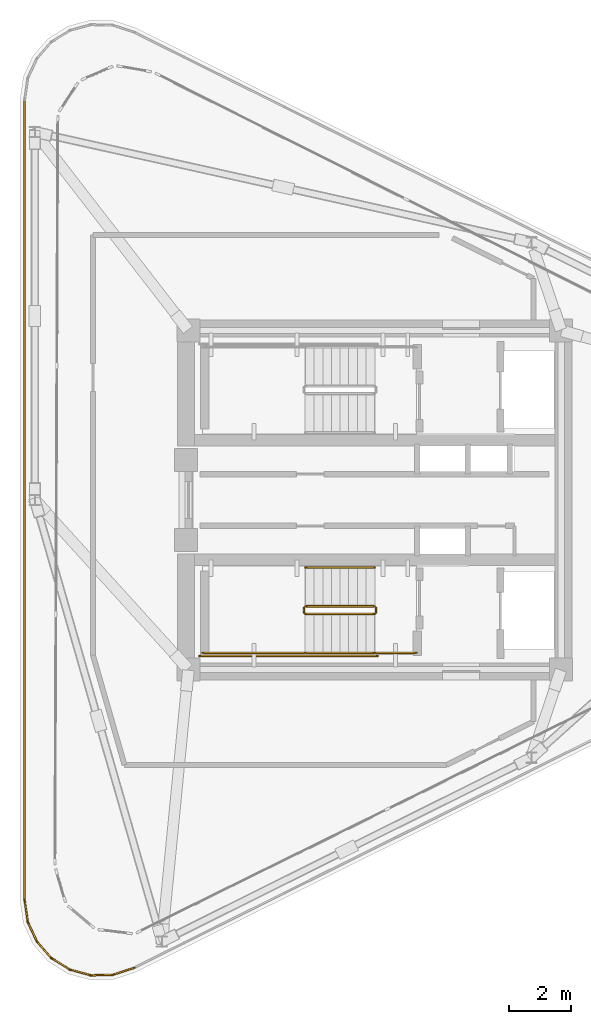
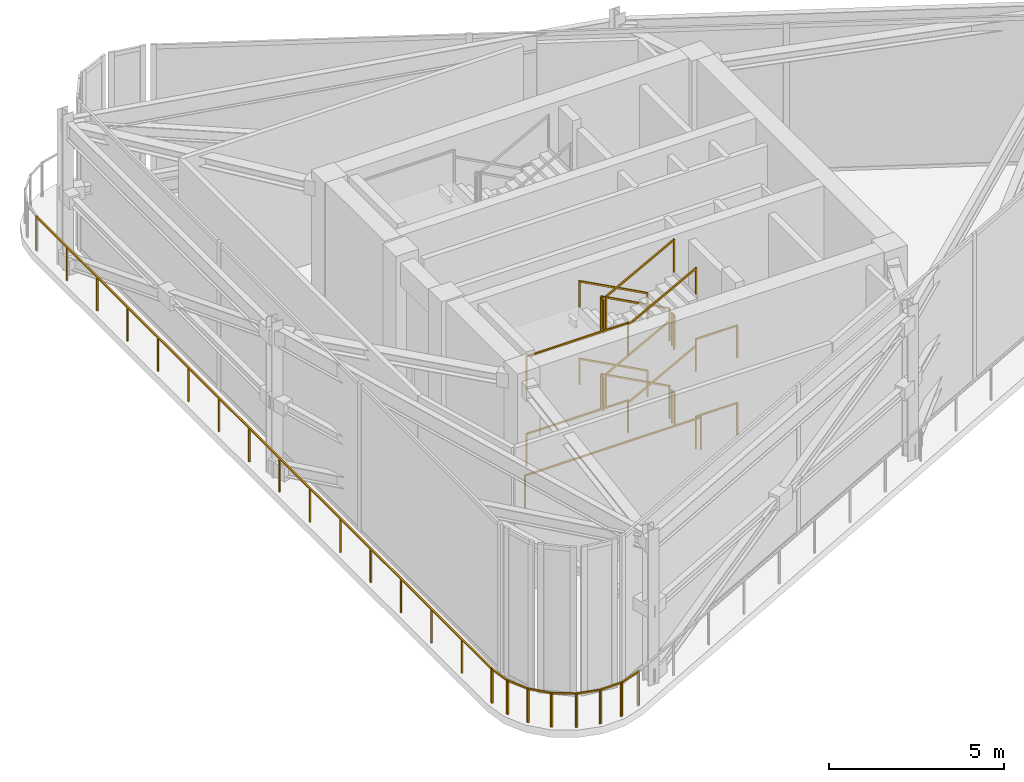
# One storey, part 6 of 9: 25 railings.
"""IFC4 building model written with IfcOpenShell, lengths in metres."""

from ifc_helpers import new_model, si_unit, direction, frame, origin, origin_2d, place, context, subcontext, project, spatial, rectangle, extrude, material, type_object, element, save


model = new_model("IFC4")

# Units and contexts
model_context = context("Model", 3, precision=1e-05, world=origin(), true_north=direction((0.0, 1.0)))
body_context = subcontext(model_context, "Body", "Model", "MODEL_VIEW")
ifc_project = project(units=[si_unit("LENGTHUNIT", "METRE"), si_unit("AREAUNIT", "SQUARE_METRE"), si_unit("VOLUMEUNIT", "CUBIC_METRE"), si_unit("PLANEANGLEUNIT", "RADIAN"), si_unit("MASSUNIT", "GRAM", prefix="KILO")], contexts=[model_context])

# Site, building, storey
site_placement = place(None, origin())
site = spatial("IfcSite", under=ifc_project, at=site_placement, CompositionType="ELEMENT")
building_placement = place(site_placement, origin())
building = spatial("IfcBuilding", under=site, at=building_placement, Name="Yunling Apex Tower", CompositionType="ELEMENT")
storey_placement = place(building_placement, frame((0.0, 0.0, 317.449951171875)))
storey = spatial("IfcBuildingStorey", under=building, at=storey_placement, Name="C01", CompositionType="ELEMENT", Elevation=317.449951171875)

# Railings
ifc_material_1 = material(Name="Bronze anodised aluminium", Category="aluminium")
railing_type_1 = type_object("IfcRailingType", Name="RL-BAL-1200", PredefinedType="BALUSTRADE", material=ifc_material_1)
railing_1_placement = place(storey_placement, frame((-11.369384765625, -13.005859375, 0.0)))
element("IfcRailing", 1, at=railing_1_placement, inside=storey, type_object=railing_type_1, Name="RL-CRN-PERIM-C01-01", PredefinedType="BALUSTRADE", context=body_context, shape_type="SweptSolid", body=[
    extrude(rectangle(XDim=0.0439453125, YDim=0.0439453125, at=origin_2d()), origin(), (0.0, 0.0, 1.0), 1.199951171875),
    extrude(rectangle(XDim=0.0439453125, YDim=0.0439453125, at=origin_2d()), frame((0.0, 26.01171875, 0.0)), (0.0, 0.0, 1.0), 1.199951171875),
    extrude(rectangle(XDim=0.050048828125, YDim=0.050048828125, at=origin_2d()), frame((0.0, 0.038330078125, 1.1748046875), z_axis=(0.0, 1.0, 0.0), x_axis=(-1.0, 0.0, 0.0)), (0.0, 0.0, 1.0), 25.93505859375),
    extrude(rectangle(XDim=0.0439453125, YDim=0.0439453125, at=origin_2d()), frame((0.0, 1.734130859375, 0.0)), (0.0, 0.0, 1.0), 1.14599609375),
    extrude(rectangle(XDim=0.0439453125, YDim=0.0439453125, at=origin_2d()), frame((0.0, 3.46826171875, 0.0)), (0.0, 0.0, 1.0), 1.14599609375),
    extrude(rectangle(XDim=0.0439453125, YDim=0.0439453125, at=origin_2d()), frame((0.0, 5.202392578125, 0.0)), (0.0, 0.0, 1.0), 1.14599609375),
    extrude(rectangle(XDim=0.0439453125, YDim=0.0439453125, at=origin_2d()), frame((0.0, 6.9365234375, 0.0)), (0.0, 0.0, 1.0), 1.14599609375),
    extrude(rectangle(XDim=0.0439453125, YDim=0.0439453125, at=origin_2d()), frame((0.0, 8.670654296875, 0.0)), (0.0, 0.0, 1.0), 1.14599609375),
    extrude(rectangle(XDim=0.0439453125, YDim=0.0439453125, at=origin_2d()), frame((0.0, 10.40478515625, 0.0)), (0.0, 0.0, 1.0), 1.14599609375),
    extrude(rectangle(XDim=0.0439453125, YDim=0.0439453125, at=origin_2d()), frame((0.0, 12.138916015625, 0.0)), (0.0, 0.0, 1.0), 1.14599609375),
    extrude(rectangle(XDim=0.0439453125, YDim=0.0439453125, at=origin_2d()), frame((0.0, 13.872802734375, 0.0)), (0.0, 0.0, 1.0), 1.14599609375),
    extrude(rectangle(XDim=0.0439453125, YDim=0.0439453125, at=origin_2d()), frame((0.0, 15.60693359375, 0.0)), (0.0, 0.0, 1.0), 1.14599609375),
    extrude(rectangle(XDim=0.0439453125, YDim=0.0439453125, at=origin_2d()), frame((0.0, 17.341064453125, 0.0)), (0.0, 0.0, 1.0), 1.14599609375),
    extrude(rectangle(XDim=0.0439453125, YDim=0.0439453125, at=origin_2d()), frame((0.0, 19.0751953125, 0.0)), (0.0, 0.0, 1.0), 1.14599609375),
    extrude(rectangle(XDim=0.0439453125, YDim=0.0439453125, at=origin_2d()), frame((0.0, 20.809326171875, 0.0)), (0.0, 0.0, 1.0), 1.14599609375),
    extrude(rectangle(XDim=0.0439453125, YDim=0.0439453125, at=origin_2d()), frame((0.0, 22.54345703125, 0.0)), (0.0, 0.0, 1.0), 1.14599609375),
    extrude(rectangle(XDim=0.0439453125, YDim=0.0439453125, at=origin_2d()), frame((0.0, 24.277587890625, 0.0)), (0.0, 0.0, 1.0), 1.14599609375),
])
railing_2_placement = place(storey_placement, frame((-7.8037109375, -15.185546875, 0.0)))
element("IfcRailing", 2, at=railing_2_placement, inside=storey, type_object=railing_type_1, Name="RL-CRN-PERIM-C01-18", PredefinedType="BALUSTRADE", context=body_context, shape_type="SweptSolid", body=[
    extrude(rectangle(XDim=0.0439453125, YDim=0.0439453125, at=origin_2d()), origin(), (0.0, 0.0, 1.0), 1.199951171875),
    extrude(rectangle(XDim=0.0439453125, YDim=0.0439453125, at=origin_2d()), frame((-0.712158203125, -0.2333984375, 0.0)), (0.0, 0.0, 1.0), 1.199951171875),
    extrude(rectangle(XDim=0.050048828125, YDim=0.050048828125, at=origin_2d()), frame((-0.036376953125, -0.011962890625, 1.1748046875), z_axis=(-0.950267478358, -0.311434936342, 0.0), x_axis=(0.311434936342, -0.950267478358, 0.0)), (0.0, 0.0, 1.0), 0.6728515625),
])
railing_3_placement = place(storey_placement, frame((-8.48681640625, -15.413818359375, 0.0)))
element("IfcRailing", 3, at=railing_3_placement, inside=storey, type_object=railing_type_1, Name="RL-CRN-PERIM-C01-19", PredefinedType="BALUSTRADE", context=body_context, shape_type="SweptSolid", body=[
    extrude(rectangle(XDim=0.0439453125, YDim=0.0439453125, at=origin_2d()), origin(), (0.0, 0.0, 1.0), 1.199951171875),
    extrude(rectangle(XDim=0.0439453125, YDim=0.0439453125, at=origin_2d()), frame((-0.738037109375, -0.019287109375, 0.0)), (0.0, 0.0, 1.0), 1.199951171875),
    extrude(rectangle(XDim=0.050048828125, YDim=0.050048828125, at=origin_2d()), frame((-0.038330078125, -0.0009765625, 1.1748046875), z_axis=(-0.999658708465, -0.026124061518, 0.0), x_axis=(0.026124061518, -0.999658708465, 0.0)), (0.0, 0.0, 1.0), 0.66162109375),
])
railing_4_placement = place(storey_placement, frame((-9.1953125, -15.436767578125, 0.0)))
element("IfcRailing", 4, at=railing_4_placement, inside=storey, type_object=railing_type_1, Name="RL-CRN-PERIM-C01-20", PredefinedType="BALUSTRADE", context=body_context, shape_type="SweptSolid", body=[
    extrude(rectangle(XDim=0.0439453125, YDim=0.0439453125, at=origin_2d()), origin(), (0.0, 0.0, 1.0), 1.199951171875),
    extrude(rectangle(XDim=0.0439453125, YDim=0.0439453125, at=origin_2d()), frame((-0.712890625, 0.19287109375, 0.0)), (0.0, 0.0, 1.0), 1.199951171875),
    extrude(rectangle(XDim=0.050048828125, YDim=0.050048828125, at=origin_2d()), frame((-0.037109375, 0.010009765625, 1.1748046875), z_axis=(-0.965295849321, 0.261158808549, 0.0), x_axis=(-0.261158808549, -0.965295849321, 0.0)), (0.0, 0.0, 1.0), 0.661865234375),
])
railing_5_placement = place(storey_placement, frame((-9.881103515625, -15.255615234375, 0.0)))
element("IfcRailing", 5, at=railing_5_placement, inside=storey, type_object=railing_type_1, Name="RL-CRN-PERIM-C01-21", PredefinedType="BALUSTRADE", context=body_context, shape_type="SweptSolid", body=[
    extrude(rectangle(XDim=0.0439453125, YDim=0.0439453125, at=origin_2d()), origin(), (0.0, 0.0, 1.0), 1.199951171875),
    extrude(rectangle(XDim=0.0439453125, YDim=0.0439453125, at=origin_2d()), frame((-0.627685546875, 0.388671875, 0.0)), (0.0, 0.0, 1.0), 1.199951171875),
    extrude(rectangle(XDim=0.050048828125, YDim=0.050048828125, at=origin_2d()), frame((-0.032470703125, 0.020263671875, 1.1748046875), z_axis=(-0.850201713258, 0.526457070209, 0.0), x_axis=(-0.526457070209, -0.850201713258, 0.0)), (0.0, 0.0, 1.0), 0.66162109375),
])
railing_6_placement = place(storey_placement, frame((-10.486083984375, -14.885986328125, 0.0)))
element("IfcRailing", 6, at=railing_6_placement, inside=storey, type_object=railing_type_1, Name="RL-CRN-PERIM-C01-22", PredefinedType="BALUSTRADE", context=body_context, shape_type="SweptSolid", body=[
    extrude(rectangle(XDim=0.0439453125, YDim=0.0439453125, at=origin_2d()), origin(), (0.0, 0.0, 1.0), 1.199951171875),
    extrude(rectangle(XDim=0.0439453125, YDim=0.0439453125, at=origin_2d()), frame((-0.490234375, 0.55224609375, 0.0)), (0.0, 0.0, 1.0), 1.199951171875),
    extrude(rectangle(XDim=0.050048828125, YDim=0.050048828125, at=origin_2d()), frame((-0.025390625, 0.028564453125, 1.1748046875), z_axis=(-0.663871195013, 0.747846933825, 0.0), x_axis=(-0.747846933825, -0.663871195013, 0.0)), (0.0, 0.0, 1.0), 0.661865234375),
])
railing_7_placement = place(storey_placement, frame((-10.9599609375, -14.358642578125, 0.0)))
element("IfcRailing", 7, at=railing_7_placement, inside=storey, type_object=railing_type_1, Name="RL-CRN-PERIM-C01-23", PredefinedType="BALUSTRADE", context=body_context, shape_type="SweptSolid", body=[
    extrude(rectangle(XDim=0.0439453125, YDim=0.0439453125, at=origin_2d()), origin(), (0.0, 0.0, 1.0), 1.199951171875),
    extrude(rectangle(XDim=0.0439453125, YDim=0.0439453125, at=origin_2d()), frame((-0.3115234375, 0.66943359375, 0.0)), (0.0, 0.0, 1.0), 1.199951171875),
    extrude(rectangle(XDim=0.050048828125, YDim=0.050048828125, at=origin_2d()), frame((-0.01611328125, 0.03466796875, 1.1748046875), z_axis=(-0.42190775415, 0.906638763228, 0.0), x_axis=(-0.906638763228, -0.42190775415, 0.0)), (0.0, 0.0, 1.0), 0.66162109375),
])
railing_8_placement = place(storey_placement, frame((-11.26318359375, -13.717529296875, 0.0)))
element("IfcRailing", 8, at=railing_8_placement, inside=storey, type_object=railing_type_1, Name="RL-CRN-PERIM-C01-24", PredefinedType="BALUSTRADE", context=body_context, shape_type="SweptSolid", body=[
    extrude(rectangle(XDim=0.0439453125, YDim=0.0439453125, at=origin_2d()), origin(), (0.0, 0.0, 1.0), 1.199951171875),
    extrude(rectangle(XDim=0.0439453125, YDim=0.0439453125, at=origin_2d()), frame((-0.1083984375, 0.741455078125, 0.0)), (0.0, 0.0, 1.0), 1.199951171875),
    extrude(rectangle(XDim=0.050048828125, YDim=0.050048828125, at=origin_2d()), frame((-0.005615234375, 0.037841796875, 1.1748046875), z_axis=(-0.144659139675, 0.989481547735, 0.0), x_axis=(-0.989481547735, -0.144659139675, 0.0)), (0.0, 0.0, 1.0), 0.672607421875),
])
ifc_material_2 = material(Name="Steel Q355B", Category="steel")
railing_type_2 = type_object("IfcRailingType", Name="RL-GRD-1150", PredefinedType="GUARDRAIL", material=ifc_material_2)
railing_9_placement = place(storey_placement, frame((-0.010009765625, -3.449951171875, 0.150146484375)))
element("IfcRailing", 9, at=railing_9_placement, inside=storey, type_object=railing_type_2, Name="C01 ST-2 stair guard 1", PredefinedType="GUARDRAIL", context=body_context, shape_type="SweptSolid", body=[
    extrude(rectangle(XDim=0.0439453125, YDim=0.0439453125, at=origin_2d()), origin(), (0.0, 0.0, 1.0), 1.14990234375),
    extrude(rectangle(XDim=0.0439453125, YDim=0.0439453125, at=origin_2d()), frame((-2.239990234375, 0.0, 1.199951171875)), (0.0, 0.0, 1.0), 1.14990234375),
    extrude(rectangle(XDim=0.050048828125, YDim=0.050048828125, at=origin_2d()), frame((-0.03369140625, 0.0, 1.14306640625), z_axis=(-0.881487111273, 0.0, 0.472208081951), x_axis=(0.0, -1.0, 0.0)), (0.0, 0.0, 1.0), 2.464599609375),
])
railing_10_placement = place(storey_placement, frame((-2.300048828125, -3.5, 1.35009765625)))
element("IfcRailing", 10, at=railing_10_placement, inside=storey, type_object=railing_type_2, Name="C01 ST-2 stair guard 2", PredefinedType="GUARDRAIL", context=body_context, shape_type="SweptSolid", body=[
    extrude(rectangle(XDim=0.0439453125, YDim=0.0439453125, at=origin_2d()), origin(), (0.0, 0.0, 1.0), 1.14990234375),
    extrude(rectangle(XDim=0.0439453125, YDim=0.0439453125, at=origin_2d()), frame((0.0, -0.14990234375, 0.0)), (0.0, 0.0, 1.0), 1.14990234375),
    extrude(rectangle(XDim=0.050048828125, YDim=0.050048828125, at=origin_2d()), frame((0.0, -0.038330078125, 1.125), z_axis=(0.0, -1.0, 0.0), x_axis=(1.0, 0.0, 0.0)), (0.0, 0.0, 1.0), 0.0732421875),
])
railing_11_placement = place(storey_placement, frame((-2.25, -4.9599609375, 1.35009765625)))
element("IfcRailing", 11, at=railing_11_placement, inside=storey, type_object=railing_type_2, Name="C01 ST-2 stair guard 3", PredefinedType="GUARDRAIL", context=body_context, shape_type="SweptSolid", body=[
    extrude(rectangle(XDim=0.0439453125, YDim=0.0439453125, at=origin_2d()), origin(), (0.0, 0.0, 1.0), 1.14990234375),
    extrude(rectangle(XDim=0.0439453125, YDim=0.0439453125, at=origin_2d()), frame((-3.35009765625, 0.0, 0.0)), (0.0, 0.0, 1.0), 1.14990234375),
    extrude(rectangle(XDim=0.050048828125, YDim=0.050048828125, at=origin_2d()), frame((-0.038330078125, 0.0, 1.125), z_axis=(-1.0, 0.0, 0.0), x_axis=(0.0, -1.0, 0.0)), (0.0, 0.0, 1.0), 3.2734375),
])
railing_12_placement = place(storey_placement, frame((-2.25, -3.699951171875, 1.5)))
element("IfcRailing", 12, at=railing_12_placement, inside=storey, type_object=railing_type_2, Name="C01 ST-2 stair guard 4", PredefinedType="GUARDRAIL", context=body_context, shape_type="SweptSolid", body=[
    extrude(rectangle(XDim=0.0439453125, YDim=0.0439453125, at=origin_2d()), origin(), (0.0, 0.0, 1.0), 1.14990234375),
    extrude(rectangle(XDim=0.0439453125, YDim=0.0439453125, at=origin_2d()), frame((2.239990234375, 0.0, 1.199951171875)), (0.0, 0.0, 1.0), 1.14990234375),
    extrude(rectangle(XDim=0.050048828125, YDim=0.050048828125, at=origin_2d()), frame((0.03369140625, 0.0, 1.14306640625), z_axis=(0.881487111273, 0.0, 0.472208081951), x_axis=(0.0, 1.0, 0.0)), (0.0, 0.0, 1.0), 2.464599609375),
])
railing_13_placement = place(storey_placement, frame((0.0400390625, -3.5, 2.699951171875)))
element("IfcRailing", 13, at=railing_13_placement, inside=storey, type_object=railing_type_2, Name="C01 ST-2 stair guard 5", PredefinedType="GUARDRAIL", context=body_context, shape_type="SweptSolid", body=[
    extrude(rectangle(XDim=0.0439453125, YDim=0.0439453125, at=origin_2d()), origin(), (0.0, 0.0, 1.0), 1.14990234375),
    extrude(rectangle(XDim=0.0439453125, YDim=0.0439453125, at=origin_2d()), frame((0.0, -0.14990234375, 0.0)), (0.0, 0.0, 1.0), 1.14990234375),
    extrude(rectangle(XDim=0.050048828125, YDim=0.050048828125, at=origin_2d()), frame((0.0, -0.038330078125, 1.125), z_axis=(0.0, -1.0, 0.0), x_axis=(1.0, 0.0, 0.0)), (0.0, 0.0, 1.0), 0.0732421875),
])
railing_14_placement = place(storey_placement, frame((1.35009765625, -4.9599609375, 2.699951171875)))
element("IfcRailing", 14, at=railing_14_placement, inside=storey, type_object=railing_type_2, Name="C01 ST-2 stair guard 6", PredefinedType="GUARDRAIL", context=body_context, shape_type="SweptSolid", body=[
    extrude(rectangle(XDim=0.0439453125, YDim=0.0439453125, at=origin_2d()), origin(), (0.0, 0.0, 1.0), 1.14990234375),
    extrude(rectangle(XDim=0.0439453125, YDim=0.0439453125, at=origin_2d()), frame((-1.360107421875, 0.0, 0.0)), (0.0, 0.0, 1.0), 1.14990234375),
    extrude(rectangle(XDim=0.050048828125, YDim=0.050048828125, at=origin_2d()), frame((-0.038330078125, 0.0, 1.125), z_axis=(-1.0, 0.0, 0.0), x_axis=(0.0, -1.0, 0.0)), (0.0, 0.0, 1.0), 1.283447265625),
])
railing_15_placement = place(storey_placement, frame((-0.010009765625, -3.449951171875, 2.85009765625)))
element("IfcRailing", 15, at=railing_15_placement, inside=storey, type_object=railing_type_2, Name="C01 ST-2 stair guard 7", PredefinedType="GUARDRAIL", context=body_context, shape_type="SweptSolid", body=[
    extrude(rectangle(XDim=0.0439453125, YDim=0.0439453125, at=origin_2d()), origin(), (0.0, 0.0, 1.0), 1.14990234375),
    extrude(rectangle(XDim=0.0439453125, YDim=0.0439453125, at=origin_2d()), frame((-2.239990234375, 0.0, 1.199951171875)), (0.0, 0.0, 1.0), 1.14990234375),
    extrude(rectangle(XDim=0.050048828125, YDim=0.050048828125, at=origin_2d()), frame((-0.03369140625, 0.0, 1.14306640625), z_axis=(-0.881487111273, 0.0, 0.472208081951), x_axis=(0.0, -1.0, 0.0)), (0.0, 0.0, 1.0), 2.464599609375),
])
railing_16_placement = place(storey_placement, frame((-2.300048828125, -3.5, 4.050048828125)))
element("IfcRailing", 16, at=railing_16_placement, inside=storey, type_object=railing_type_2, Name="C01 ST-2 stair guard 8", PredefinedType="GUARDRAIL", context=body_context, shape_type="SweptSolid", body=[
    extrude(rectangle(XDim=0.0439453125, YDim=0.0439453125, at=origin_2d()), origin(), (0.0, 0.0, 1.0), 1.14990234375),
    extrude(rectangle(XDim=0.0439453125, YDim=0.0439453125, at=origin_2d()), frame((0.0, -0.14990234375, 0.0)), (0.0, 0.0, 1.0), 1.14990234375),
    extrude(rectangle(XDim=0.050048828125, YDim=0.050048828125, at=origin_2d()), frame((0.0, -0.038330078125, 1.125), z_axis=(0.0, -1.0, 0.0), x_axis=(1.0, 0.0, 0.0)), (0.0, 0.0, 1.0), 0.0732421875),
])
railing_17_placement = place(storey_placement, frame((-2.25, -4.9599609375, 4.050048828125)))
element("IfcRailing", 17, at=railing_17_placement, inside=storey, type_object=railing_type_2, Name="C01 ST-2 stair guard 9", PredefinedType="GUARDRAIL", context=body_context, shape_type="SweptSolid", body=[
    extrude(rectangle(XDim=0.0439453125, YDim=0.0439453125, at=origin_2d()), origin(), (0.0, 0.0, 1.0), 1.14990234375),
    extrude(rectangle(XDim=0.0439453125, YDim=0.0439453125, at=origin_2d()), frame((-3.35009765625, 0.0, 0.0)), (0.0, 0.0, 1.0), 1.14990234375),
    extrude(rectangle(XDim=0.050048828125, YDim=0.050048828125, at=origin_2d()), frame((-0.038330078125, 0.0, 1.125), z_axis=(-1.0, 0.0, 0.0), x_axis=(0.0, -1.0, 0.0)), (0.0, 0.0, 1.0), 3.2734375),
])
railing_18_placement = place(storey_placement, frame((-2.25, -3.699951171875, 4.199951171875)))
element("IfcRailing", 18, at=railing_18_placement, inside=storey, type_object=railing_type_2, Name="C01 ST-2 stair guard 10", PredefinedType="GUARDRAIL", context=body_context, shape_type="SweptSolid", body=[
    extrude(rectangle(XDim=0.0439453125, YDim=0.0439453125, at=origin_2d()), origin(), (0.0, 0.0, 1.0), 1.14990234375),
    extrude(rectangle(XDim=0.0439453125, YDim=0.0439453125, at=origin_2d()), frame((2.239990234375, 0.0, 1.2001953125)), (0.0, 0.0, 1.0), 1.14990234375),
    extrude(rectangle(XDim=0.050048828125, YDim=0.050048828125, at=origin_2d()), frame((0.03369140625, 0.0, 1.14306640625), z_axis=(0.881447119201, 0.0, 0.472282728937), x_axis=(0.0, 1.0, 0.0)), (0.0, 0.0, 1.0), 2.464599609375),
])
railing_19_placement = place(storey_placement, frame((0.0400390625, -3.5, 0.0)))
element("IfcRailing", 19, at=railing_19_placement, inside=storey, type_object=railing_type_2, Name="C01 ST-2 stair guard 11", PredefinedType="GUARDRAIL", context=body_context, shape_type="SweptSolid", body=[
    extrude(rectangle(XDim=0.0439453125, YDim=0.0439453125, at=origin_2d()), origin(), (0.0, 0.0, 1.0), 1.14990234375),
    extrude(rectangle(XDim=0.0439453125, YDim=0.0439453125, at=origin_2d()), frame((0.0, -0.14990234375, 0.0)), (0.0, 0.0, 1.0), 1.14990234375),
    extrude(rectangle(XDim=0.050048828125, YDim=0.050048828125, at=origin_2d()), frame((0.0, -0.038330078125, 1.125), z_axis=(0.0, -1.0, 0.0), x_axis=(1.0, 0.0, 0.0)), (0.0, 0.0, 1.0), 0.0732421875),
])
railing_20_placement = place(storey_placement, frame((1.35009765625, -4.9599609375, 0.0)))
element("IfcRailing", 20, at=railing_20_placement, inside=storey, type_object=railing_type_2, Name="C01 ST-2 stair guard 12", PredefinedType="GUARDRAIL", context=body_context, shape_type="SweptSolid", body=[
    extrude(rectangle(XDim=0.0439453125, YDim=0.0439453125, at=origin_2d()), origin(), (0.0, 0.0, 1.0), 1.14990234375),
    extrude(rectangle(XDim=0.0439453125, YDim=0.0439453125, at=origin_2d()), frame((-1.360107421875, 0.0, 0.0)), (0.0, 0.0, 1.0), 1.14990234375),
    extrude(rectangle(XDim=0.050048828125, YDim=0.050048828125, at=origin_2d()), frame((-0.038330078125, 0.0, 1.125), z_axis=(-1.0, 0.0, 0.0), x_axis=(0.0, -1.0, 0.0)), (0.0, 0.0, 1.0), 1.283447265625),
])
railing_21_placement = place(storey_placement, frame((0.090087890625, -5.06005859375, 0.0)))
element("IfcRailing", 21, at=railing_21_placement, inside=storey, type_object=railing_type_2, Name="C01 ST-2 stair guard 13", PredefinedType="GUARDRAIL", context=body_context, shape_type="SweptSolid", body=[
    extrude(rectangle(XDim=0.0439453125, YDim=0.0439453125, at=origin_2d()), origin(), (0.0, 0.0, 1.0), 1.14990234375),
    extrude(rectangle(XDim=0.0439453125, YDim=0.0439453125, at=origin_2d()), frame((-5.7900390625, 0.0, 0.0)), (0.0, 0.0, 1.0), 1.14990234375),
    extrude(rectangle(XDim=0.050048828125, YDim=0.050048828125, at=origin_2d()), frame((-0.038330078125, 0.0, 1.125), z_axis=(-1.0, 0.0, 0.0), x_axis=(0.0, -1.0, 0.0)), (0.0, 0.0, 1.0), 5.71337890625),
])
ifc_material_3 = material(Name="Silver anodised aluminium", Category="aluminium")
railing_type_3 = type_object("IfcRailingType", Name="RL-HND-900", PredefinedType="HANDRAIL", material=ifc_material_3)
railing_22_placement = place(storey_placement, frame((-0.010009765625, -2.18994140625, 0.150146484375)))
element("IfcRailing", 22, at=railing_22_placement, inside=storey, type_object=railing_type_3, Name="C01 ST-2 stair handrail 1", PredefinedType="HANDRAIL", context=body_context, shape_type="SweptSolid", body=[
    extrude(rectangle(XDim=0.0439453125, YDim=0.0439453125, at=origin_2d()), origin(), (0.0, 0.0, 1.0), 0.919921875),
    extrude(rectangle(XDim=0.0439453125, YDim=0.0439453125, at=origin_2d()), frame((-2.239990234375, 0.0, 1.199951171875)), (0.0, 0.0, 1.0), 0.919921875),
    extrude(rectangle(XDim=0.050048828125, YDim=0.050048828125, at=origin_2d()), frame((-0.03369140625, 0.0, 0.9130859375), z_axis=(-0.881487111273, 0.0, 0.472208081951), x_axis=(0.0, -1.0, 0.0)), (0.0, 0.0, 1.0), 2.464599609375),
])
railing_23_placement = place(storey_placement, frame((-2.25, -4.9599609375, 1.5)))
element("IfcRailing", 23, at=railing_23_placement, inside=storey, type_object=railing_type_3, Name="C01 ST-2 stair handrail 2", PredefinedType="HANDRAIL", context=body_context, shape_type="SweptSolid", body=[
    extrude(rectangle(XDim=0.0439453125, YDim=0.0439453125, at=origin_2d()), origin(), (0.0, 0.0, 1.0), 0.919921875),
    extrude(rectangle(XDim=0.0439453125, YDim=0.0439453125, at=origin_2d()), frame((2.239990234375, 0.0, 1.199951171875)), (0.0, 0.0, 1.0), 0.919921875),
    extrude(rectangle(XDim=0.050048828125, YDim=0.050048828125, at=origin_2d()), frame((0.03369140625, 0.0, 0.9130859375), z_axis=(0.881487111273, 0.0, 0.472208081951), x_axis=(0.0, 1.0, 0.0)), (0.0, 0.0, 1.0), 2.464599609375),
])
railing_24_placement = place(storey_placement, frame((-0.010009765625, -2.18994140625, 2.85009765625)))
element("IfcRailing", 24, at=railing_24_placement, inside=storey, type_object=railing_type_3, Name="C01 ST-2 stair handrail 3", PredefinedType="HANDRAIL", context=body_context, shape_type="SweptSolid", body=[
    extrude(rectangle(XDim=0.0439453125, YDim=0.0439453125, at=origin_2d()), origin(), (0.0, 0.0, 1.0), 0.919921875),
    extrude(rectangle(XDim=0.0439453125, YDim=0.0439453125, at=origin_2d()), frame((-2.239990234375, 0.0, 1.199951171875)), (0.0, 0.0, 1.0), 0.919921875),
    extrude(rectangle(XDim=0.050048828125, YDim=0.050048828125, at=origin_2d()), frame((-0.03369140625, 0.0, 0.9130859375), z_axis=(-0.881487111273, 0.0, 0.472208081951), x_axis=(0.0, -1.0, 0.0)), (0.0, 0.0, 1.0), 2.464599609375),
])
railing_25_placement = place(storey_placement, frame((-2.25, -4.9599609375, 4.199951171875)))
element("IfcRailing", 25, at=railing_25_placement, inside=storey, type_object=railing_type_3, Name="C01 ST-2 stair handrail 4", PredefinedType="HANDRAIL", context=body_context, shape_type="SweptSolid", body=[
    extrude(rectangle(XDim=0.0439453125, YDim=0.0439453125, at=origin_2d()), origin(), (0.0, 0.0, 1.0), 0.919921875),
    extrude(rectangle(XDim=0.0439453125, YDim=0.0439453125, at=origin_2d()), frame((2.239990234375, 0.0, 1.2001953125)), (0.0, 0.0, 1.0), 0.919921875),
    extrude(rectangle(XDim=0.050048828125, YDim=0.050048828125, at=origin_2d()), frame((0.03369140625, 0.0, 0.9130859375), z_axis=(0.881447119201, 0.0, 0.472282728937), x_axis=(0.0, 1.0, 0.0)), (0.0, 0.0, 1.0), 2.464599609375),
])

save(model, "model.ifc")
